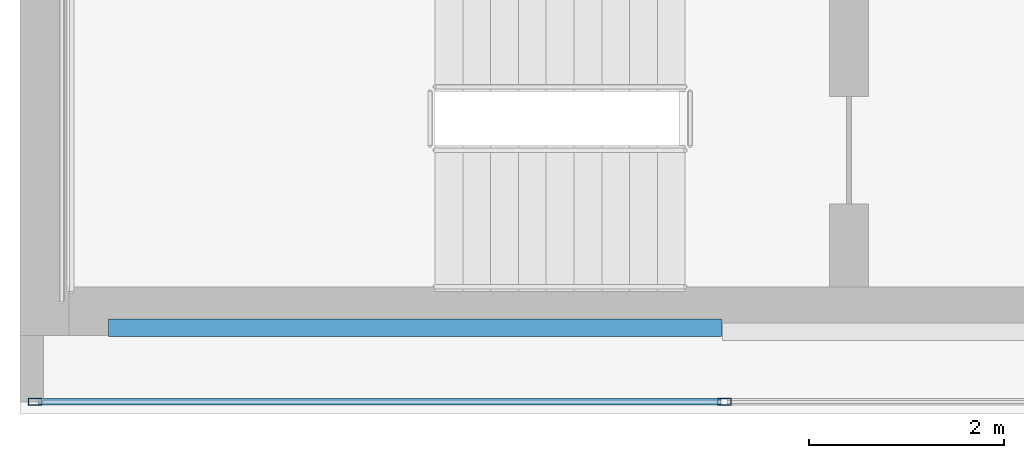
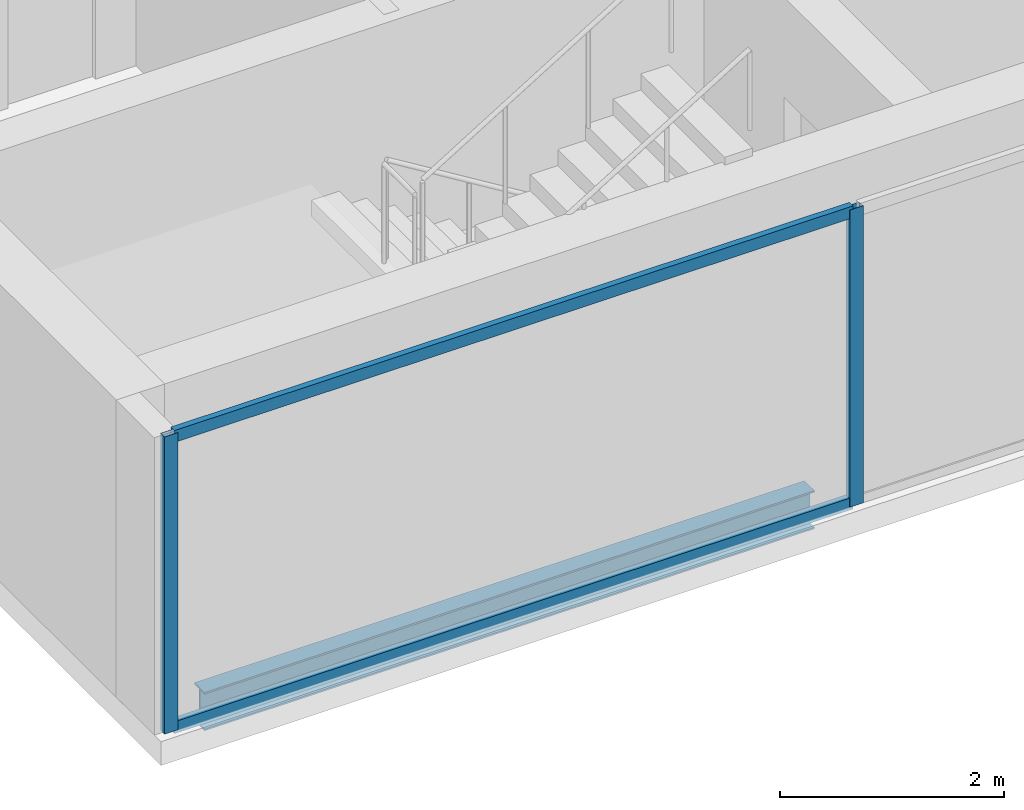
# One storey, part 2 of 24: 4 members, 1 beam, 1 element without a shape of its own.
"""IFC4 building model written with IfcOpenShell, lengths in metres."""

import ifcopenshell
import ifcopenshell.guid

model = None  # the IFC model being written
_history = None  # IfcOwnerHistory: only IFC2X3 demands one
_inside = {}  # id of a spatial element -> (the spatial element, [elements in it])
_under = {}  # id of a project, library or spatial element -> (it, [spatial elements below it])
_declared = {}  # id of a project -> (the project, [libraries it declares])
_typed = {}  # id of a type object -> (the type object, [elements of that type])
_made_of = {}  # id of a material, layer set ... -> (it, [elements and type objects made of it])


def new_model(schema):
    """Start an empty IFC model of exactly this schema.

    Asked for "IFC4X3", IfcOpenShell would pick the latest addendum, in which some entities
    have other attributes; the version numbers below select the first issue.
    IFC2X3 requires an IfcOwnerHistory on every rooted entity: one is made here for all.
    """
    global model, _history
    if schema == "IFC4X3":
        model = ifcopenshell.file(schema_version=(4, 3, 0, 0))
    else:
        model = ifcopenshell.file(schema=schema)
    _inside.clear()
    _under.clear()
    _declared.clear()
    _typed.clear()
    _made_of.clear()
    _history = None
    if model.schema == "IFC2X3":
        org = make("IfcOrganization", Name="unknown")
        user = make(
            "IfcPersonAndOrganization",
            ThePerson=make("IfcPerson", FamilyName="unknown"),
            TheOrganization=org,
        )
        app = make(
            "IfcApplication",
            ApplicationDeveloper=org,
            Version="unknown",
            ApplicationFullName="unknown",
            ApplicationIdentifier="unknown",
        )
        _history = make(
            "IfcOwnerHistory",
            OwningUser=user,
            OwningApplication=app,
            ChangeAction="ADDED",
            CreationDate=0,
        )
    return model


def make(cls, **values):
    """One entity of the class cls with the attributes given. An attribute that is None is left unset."""
    return model.create_entity(
        cls, **{name: value for name, value in values.items() if value is not None}
    )


def rooted(cls, **values):
    """An entity with a GlobalId (a new one), such as an element, a storey or a relation."""
    return make(cls, GlobalId=ifcopenshell.guid.new(), OwnerHistory=_history, **values)


def si_unit(unit_type, name, prefix=None):
    """IfcSIUnit, for example si_unit("LENGTHUNIT", "METRE", prefix="MILLI")."""
    return make("IfcSIUnit", UnitType=unit_type, Prefix=prefix, Name=name)


def assignment(units):
    """IfcUnitAssignment: the units of a project."""
    return None if units is None else make("IfcUnitAssignment", Units=units)


def point(xyz):
    """IfcCartesianPoint."""
    return None if xyz is None else make("IfcCartesianPoint", Coordinates=xyz)


def direction(xyz):
    """IfcDirection."""
    return None if xyz is None else make("IfcDirection", DirectionRatios=xyz)


def frame(location, z_axis=None, x_axis=None):
    """IfcAxis2Placement3D, a coordinate frame: its origin and axes. An axis left out is left unset."""
    return make(
        "IfcAxis2Placement3D",
        Location=point(location),
        Axis=direction(z_axis),
        RefDirection=direction(x_axis),
    )


def frame_2d(location, x_axis=None):
    """IfcAxis2Placement2D, a coordinate frame in the plane: its origin and x axis."""
    return make(
        "IfcAxis2Placement2D", Location=point(location), RefDirection=direction(x_axis)
    )


def origin():
    """The frame at (0, 0, 0) with its axes left unset."""
    return frame((0.0, 0.0, 0.0))


def origin_2d():
    """The frame at (0, 0) in the plane with its x axis left unset."""
    return frame_2d((0.0, 0.0))


def place(relative_to, where):
    """IfcLocalPlacement: puts the frame where relative to a parent placement (None: the world)."""
    return make(
        "IfcLocalPlacement", PlacementRelTo=relative_to, RelativePlacement=where
    )


def context(
    kind, dimensions, precision=None, world=None, true_north=None, identifier=None
):
    """IfcGeometricRepresentationContext, for example the 3D "Model" context."""
    return make(
        "IfcGeometricRepresentationContext",
        ContextIdentifier=identifier,
        ContextType=kind,
        CoordinateSpaceDimension=dimensions,
        Precision=precision,
        WorldCoordinateSystem=world,
        TrueNorth=true_north,
    )


def subcontext(parent, identifier, kind, view, scale=None):
    """IfcGeometricRepresentationSubContext, for example "Body" below "Model"."""
    return make(
        "IfcGeometricRepresentationSubContext",
        ContextIdentifier=identifier,
        ContextType=kind,
        ParentContext=parent,
        TargetScale=scale,
        TargetView=view,
    )


def project(units=None, contexts=None):
    """IfcProject with its units and contexts."""
    return rooted(
        "IfcProject",
        Name="project",
        RepresentationContexts=contexts,
        UnitsInContext=assignment(units),
    )


def spatial(cls, under=None, at=None, **own):
    """A site, building, storey or space (cls), placed at a placement, below another one or the project."""
    s = rooted(cls, ObjectPlacement=at, **own)
    if under is not None:
        _under.setdefault(under.id(), (under, []))[1].append(s)
    return s


def profile(cls, at=None, kind="AREA", **sizes):
    """A parametric profile (cls). Its sizes go by their IFC names, for example OverallWidth=200.0."""
    return make(cls, ProfileType=kind, Position=at, **sizes)


def hollow_rectangle(**sizes):
    """IfcRectangleHollowProfileDef."""
    return profile("IfcRectangleHollowProfileDef", **sizes)


def i_section(**sizes):
    """IfcIShapeProfileDef."""
    return profile("IfcIShapeProfileDef", **sizes)


def extrude(swept, where, along, depth):
    """IfcExtrudedAreaSolid: the profile swept, set in the frame where, extruded along a direction by depth."""
    return make(
        "IfcExtrudedAreaSolid",
        SweptArea=swept,
        Position=where,
        ExtrudedDirection=direction(along),
        Depth=depth,
    )


def shape(context_of_items, identifier, shape_type, items):
    """IfcShapeRepresentation: the items that make up one representation, for example the "Body"."""
    return make(
        "IfcShapeRepresentation",
        ContextOfItems=context_of_items,
        RepresentationIdentifier=identifier,
        RepresentationType=shape_type,
        Items=items,
    )


def material(Name=None, Category=None):
    """IfcMaterial."""
    return make("IfcMaterial", Name=Name, Category=Category)


def material_profile(
    of_material, cross_section, Name=None, Category=None, Priority=None
):
    """IfcMaterialProfile: a cross section and its material."""
    return make(
        "IfcMaterialProfile",
        Name=Name,
        Material=of_material,
        Profile=cross_section,
        Priority=Priority,
        Category=Category,
    )


def profile_set(profiles, Name=None, composite=None):
    """IfcMaterialProfileSet."""
    return make(
        "IfcMaterialProfileSet",
        Name=Name,
        MaterialProfiles=profiles,
        CompositeProfile=composite,
    )


def made_of(thing, what):
    """Note that an element or type object is made of a material, layer set ...; save() writes the relation."""
    if what is not None:
        _made_of.setdefault(what.id(), (what, []))[1].append(thing)
    return thing


def type_object(cls, material=None, **own):
    """A type object (cls), such as IfcWallType, which elements share."""
    return made_of(rooted(cls, **own), material)


def element(
    cls,
    number,
    at=None,
    inside=None,
    cuts=None,
    type_object=None,
    material=None,
    context=None,
    identifier="Body",
    shape_type=None,
    held_by="IfcProductDefinitionShape",
    body=None,
    shapes=None,
    **own,
):
    """One element of the class cls, such as IfcWall. Its Tag is "e" and its number.

    at: its placement. inside: the storey or other place that contains it. cuts: it is an
    opening in that element (IfcRelVoidsElement). A single representation is given by context,
    identifier, shape_type and body (its items); several are given by shapes. held_by: the class
    of the entity that holds the representations. save() writes the other relations.
    """
    e = rooted(cls, Tag="e%d" % number, ObjectPlacement=at, **own)
    if body is not None:
        shapes = [shape(context, identifier, shape_type, body)]
    if shapes is not None:
        e.Representation = make(held_by, Representations=shapes)
    if inside is not None:
        _inside.setdefault(inside.id(), (inside, []))[1].append(e)
    if cuts is not None:
        rooted(
            "IfcRelVoidsElement", RelatingBuildingElement=cuts, RelatedOpeningElement=e
        )
    if type_object is not None:
        _typed.setdefault(type_object.id(), (type_object, []))[1].append(e)
    return made_of(e, material)


def aggregate(whole, parts):
    """IfcRelAggregates: a whole, such as a stair, and the parts it consists of."""
    return rooted("IfcRelAggregates", RelatingObject=whole, RelatedObjects=parts)


def save(model, path):
    """Write the relations noted so far, then the file.

    IfcRelAggregates (storeys below a building ...), IfcRelContainedInSpatialStructure (elements
    in a storey), IfcRelDefinesByType, IfcRelAssociatesMaterial and IfcRelDeclares: one each for
    every whole, place, type object, material and project.
    """
    for whole, parts in _under.values():
        aggregate(whole, parts)
    for where, things in _inside.values():
        rooted(
            "IfcRelContainedInSpatialStructure",
            RelatedElements=things,
            RelatingStructure=where,
        )
    for kind, things in _typed.values():
        rooted("IfcRelDefinesByType", RelatedObjects=things, RelatingType=kind)
    for what, things in _made_of.values():
        rooted("IfcRelAssociatesMaterial", RelatedObjects=things, RelatingMaterial=what)
    for by, libraries in _declared.values():
        rooted("IfcRelDeclares", RelatingContext=by, RelatedDefinitions=libraries)
    model.write(path)


model = new_model("IFC4")

# Units and contexts
model_context = context("Model", 3, precision=1e-05, world=origin(), true_north=direction((0.0, 1.0)))
body_context = subcontext(model_context, "Body", "Model", "MODEL_VIEW")
ifc_project = project(units=[si_unit("LENGTHUNIT", "METRE"), si_unit("AREAUNIT", "SQUARE_METRE"), si_unit("VOLUMEUNIT", "CUBIC_METRE"), si_unit("PLANEANGLEUNIT", "RADIAN"), si_unit("MASSUNIT", "GRAM", prefix="KILO")], contexts=[model_context])

# Site, building, storey
site_placement = place(None, origin())
site = spatial("IfcSite", under=ifc_project, at=site_placement, CompositionType="ELEMENT")
building_placement = place(site_placement, origin())
building = spatial("IfcBuilding", under=site, at=building_placement, Name="Cobrela Telecom Tower", CompositionType="ELEMENT")
storey_placement = place(building_placement, frame((0.0, 0.0, 244.64990234375)))
storey = spatial("IfcBuildingStorey", under=building, at=storey_placement, Name="L63", CompositionType="ELEMENT", Elevation=244.64990234375)

# Beam
ifc_material_1 = material(Name="Steel ASTM A992 Grade 50", Category="steel")
ifc_material_profile_1 = material_profile(ifc_material_1, i_section(OverallWidth=0.179931640625, OverallDepth=0.4169921875, WebThickness=0.010986328125, FlangeThickness=0.01806640625, FilletRadius=0.011962890625, at=origin_2d()), Name="W16X57")
ifc_profile_set_1 = profile_set([ifc_material_profile_1], Name="Steel ASTM A992 Grade 50")
beam_type = type_object("IfcBeamType", Name="BM-SPAND-06", PredefinedType="SPANDREL", material=ifc_profile_set_1)
beam_placement = place(storey_placement, frame((0.905029296875, 7.280029296875, -0.468505859375), z_axis=(1.0, 0.0, 0.0), x_axis=(0.0, 1.0, 0.0)))
element("IfcBeam", 1, at=beam_placement, inside=storey, type_object=beam_type, Name="L63 Perimeter Spandrel X01", PredefinedType="SPANDREL", context=body_context, shape_type="SweptSolid", body=[
    extrude(i_section(OverallWidth=0.179931640625, OverallDepth=0.4169921875, WebThickness=0.010986328125, FlangeThickness=0.01806640625, FilletRadius=0.011962890625, at=origin_2d()), origin(), (0.0, 0.0, 1.0), 6.2900390625),
])

# Curtain wall, members
ifc_material_2 = material(Name="Anodized Bronze Aluminium 6063-T6", Category="aluminium")
curtain_wall_type = type_object("IfcCurtainWallType", Name="CW-SYS-OFF-HI", PredefinedType="USERDEFINED", material=ifc_material_2)
curtain_wall_placement = place(storey_placement, origin())
curtain_wall = element("IfcCurtainWall", 2, at=curtain_wall_placement, inside=storey, type_object=curtain_wall_type, Name="L63 Unitised Bronze Curtain Wall 15", ObjectType="UNITISED CURTAIN WALL", PredefinedType="USERDEFINED")
ifc_material_profile_2 = material_profile(ifc_material_2, hollow_rectangle(XDim=0.070068359375, YDim=0.139892578125, WallThickness=0.00390625, at=origin_2d()), Name="ALU 70x140x4")
ifc_profile_set_2 = profile_set([ifc_material_profile_2], Name="Anodized Bronze Aluminium 6063-T6")
member_type_1 = type_object("IfcMemberType", Name="CW-SYS-OFF-HI-MUL", PredefinedType="MULLION", material=ifc_profile_set_2)
member_1_placement = place(storey_placement, frame((7.2216796875, 6.52001953125, 0.0), z_axis=(0.0, 0.0, 1.0), x_axis=(0.0, -1.0, 0.0)))
member_1 = element("IfcMember", 3, at=member_1_placement, type_object=member_type_1, Name="CW-OFF-HI mullion 6", PredefinedType="MULLION", context=body_context, shape_type="SweptSolid", body=[
    extrude(hollow_rectangle(XDim=0.070068359375, YDim=0.139892578125, WallThickness=0.00390625, at=origin_2d()), origin(), (0.0, 0.0, 1.0), 3.239990234375),
])
member_2_placement = place(storey_placement, frame((0.155029296875, 6.52001953125, 0.0), z_axis=(0.0, 0.0, 1.0), x_axis=(0.0, -1.0, 0.0)))
member_2 = element("IfcMember", 4, at=member_2_placement, type_object=member_type_1, Name="CW-OFF-HI mullion 7", PredefinedType="MULLION", context=body_context, shape_type="SweptSolid", body=[
    extrude(hollow_rectangle(XDim=0.070068359375, YDim=0.139892578125, WallThickness=0.00390625, at=origin_2d()), origin(), (0.0, 0.0, 1.0), 3.239990234375),
])
ifc_material_profile_3 = material_profile(ifc_material_2, hollow_rectangle(XDim=0.06494140625, YDim=0.1298828125, WallThickness=0.00390625, at=origin_2d()), Name="ALU 65x130x4")
ifc_profile_set_3 = profile_set([ifc_material_profile_3], Name="Anodized Bronze Aluminium 6063-T6")
member_type_2 = type_object("IfcMemberType", Name="CW-SYS-OFF-HI-TRN", PredefinedType="USERDEFINED", material=ifc_profile_set_3)
member_3_placement = place(storey_placement, frame((7.186767578125, 6.52001953125, 0.03271484375), z_axis=(-1.0, 0.0, 0.0), x_axis=(0.0, -1.0, 0.0)))
member_3 = element("IfcMember", 5, at=member_3_placement, type_object=member_type_2, Name="CW-OFF-HI transom 6.1", ObjectType="TRANSOM", PredefinedType="USERDEFINED", context=body_context, shape_type="SweptSolid", body=[
    extrude(hollow_rectangle(XDim=0.06494140625, YDim=0.1298828125, WallThickness=0.00390625, at=origin_2d()), origin(), (0.0, 0.0, 1.0), 6.996826171875),
])
member_4_placement = place(storey_placement, frame((7.186767578125, 6.52001953125, 3.20751953125), z_axis=(-1.0, 0.0, 0.0), x_axis=(0.0, -1.0, 0.0)))
member_4 = element("IfcMember", 6, at=member_4_placement, type_object=member_type_2, Name="CW-OFF-HI transom 6.2", ObjectType="TRANSOM", PredefinedType="USERDEFINED", context=body_context, shape_type="SweptSolid", body=[
    extrude(hollow_rectangle(XDim=0.06494140625, YDim=0.1298828125, WallThickness=0.00390625, at=origin_2d()), origin(), (0.0, 0.0, 1.0), 6.996826171875),
])
aggregate(curtain_wall, [member_1, member_2, member_3, member_4])

save(model, "model.ifc")
